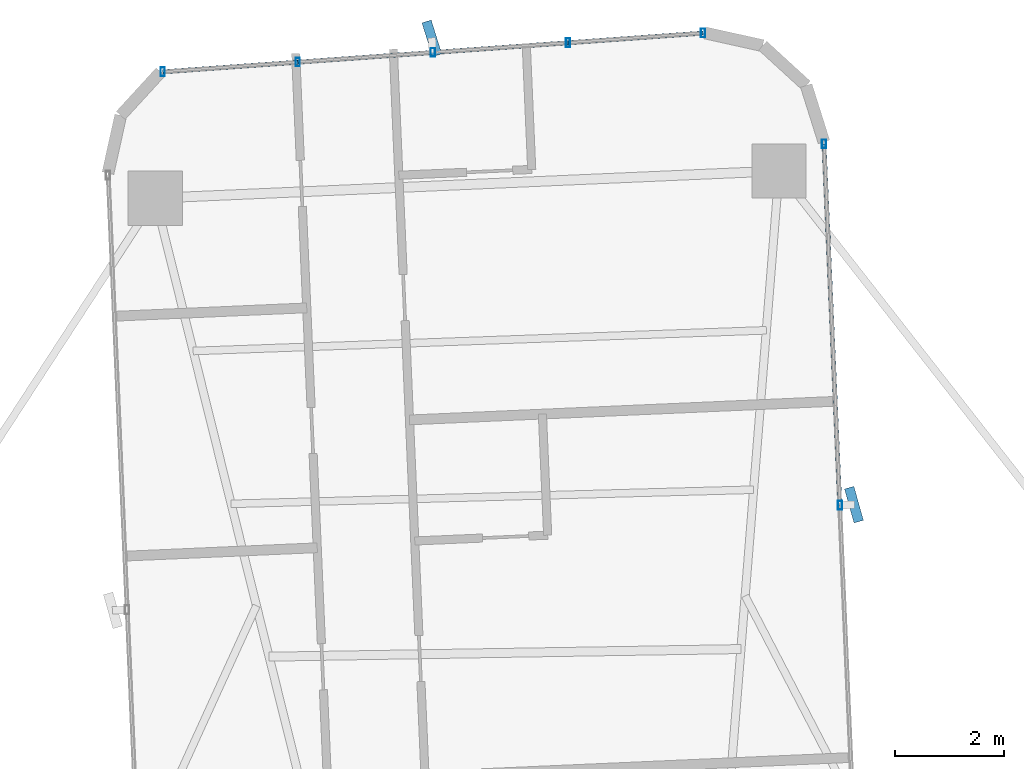
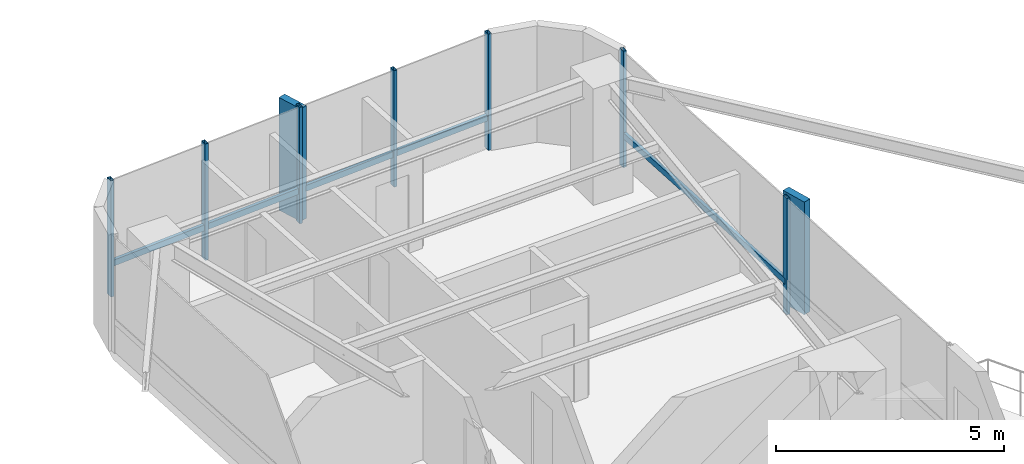
# One storey, part 19 of 26: 14 members, 2 elements without a shape of their own.
"""IFC4 building model written with IfcOpenShell, lengths in metres."""

import ifcopenshell
import ifcopenshell.guid

model = None  # the IFC model being written
_history = None  # IfcOwnerHistory: only IFC2X3 demands one
_inside = {}  # id of a spatial element -> (the spatial element, [elements in it])
_under = {}  # id of a project, library or spatial element -> (it, [spatial elements below it])
_declared = {}  # id of a project -> (the project, [libraries it declares])
_typed = {}  # id of a type object -> (the type object, [elements of that type])
_made_of = {}  # id of a material, layer set ... -> (it, [elements and type objects made of it])


def new_model(schema):
    """Start an empty IFC model of exactly this schema.

    Asked for "IFC4X3", IfcOpenShell would pick the latest addendum, in which some entities
    have other attributes; the version numbers below select the first issue.
    IFC2X3 requires an IfcOwnerHistory on every rooted entity: one is made here for all.
    """
    global model, _history
    if schema == "IFC4X3":
        model = ifcopenshell.file(schema_version=(4, 3, 0, 0))
    else:
        model = ifcopenshell.file(schema=schema)
    _inside.clear()
    _under.clear()
    _declared.clear()
    _typed.clear()
    _made_of.clear()
    _history = None
    if model.schema == "IFC2X3":
        org = make("IfcOrganization", Name="unknown")
        user = make(
            "IfcPersonAndOrganization",
            ThePerson=make("IfcPerson", FamilyName="unknown"),
            TheOrganization=org,
        )
        app = make(
            "IfcApplication",
            ApplicationDeveloper=org,
            Version="unknown",
            ApplicationFullName="unknown",
            ApplicationIdentifier="unknown",
        )
        _history = make(
            "IfcOwnerHistory",
            OwningUser=user,
            OwningApplication=app,
            ChangeAction="ADDED",
            CreationDate=0,
        )
    return model


def make(cls, **values):
    """One entity of the class cls with the attributes given. An attribute that is None is left unset."""
    return model.create_entity(
        cls, **{name: value for name, value in values.items() if value is not None}
    )


def rooted(cls, **values):
    """An entity with a GlobalId (a new one), such as an element, a storey or a relation."""
    return make(cls, GlobalId=ifcopenshell.guid.new(), OwnerHistory=_history, **values)


def si_unit(unit_type, name, prefix=None):
    """IfcSIUnit, for example si_unit("LENGTHUNIT", "METRE", prefix="MILLI")."""
    return make("IfcSIUnit", UnitType=unit_type, Prefix=prefix, Name=name)


def assignment(units):
    """IfcUnitAssignment: the units of a project."""
    return None if units is None else make("IfcUnitAssignment", Units=units)


def point(xyz):
    """IfcCartesianPoint."""
    return None if xyz is None else make("IfcCartesianPoint", Coordinates=xyz)


def direction(xyz):
    """IfcDirection."""
    return None if xyz is None else make("IfcDirection", DirectionRatios=xyz)


def frame(location, z_axis=None, x_axis=None):
    """IfcAxis2Placement3D, a coordinate frame: its origin and axes. An axis left out is left unset."""
    return make(
        "IfcAxis2Placement3D",
        Location=point(location),
        Axis=direction(z_axis),
        RefDirection=direction(x_axis),
    )


def frame_2d(location, x_axis=None):
    """IfcAxis2Placement2D, a coordinate frame in the plane: its origin and x axis."""
    return make(
        "IfcAxis2Placement2D", Location=point(location), RefDirection=direction(x_axis)
    )


def origin():
    """The frame at (0, 0, 0) with its axes left unset."""
    return frame((0.0, 0.0, 0.0))


def origin_2d():
    """The frame at (0, 0) in the plane with its x axis left unset."""
    return frame_2d((0.0, 0.0))


def place(relative_to, where):
    """IfcLocalPlacement: puts the frame where relative to a parent placement (None: the world)."""
    return make(
        "IfcLocalPlacement", PlacementRelTo=relative_to, RelativePlacement=where
    )


def context(
    kind, dimensions, precision=None, world=None, true_north=None, identifier=None
):
    """IfcGeometricRepresentationContext, for example the 3D "Model" context."""
    return make(
        "IfcGeometricRepresentationContext",
        ContextIdentifier=identifier,
        ContextType=kind,
        CoordinateSpaceDimension=dimensions,
        Precision=precision,
        WorldCoordinateSystem=world,
        TrueNorth=true_north,
    )


def subcontext(parent, identifier, kind, view, scale=None):
    """IfcGeometricRepresentationSubContext, for example "Body" below "Model"."""
    return make(
        "IfcGeometricRepresentationSubContext",
        ContextIdentifier=identifier,
        ContextType=kind,
        ParentContext=parent,
        TargetScale=scale,
        TargetView=view,
    )


def project(units=None, contexts=None):
    """IfcProject with its units and contexts."""
    return rooted(
        "IfcProject",
        Name="project",
        RepresentationContexts=contexts,
        UnitsInContext=assignment(units),
    )


def spatial(cls, under=None, at=None, **own):
    """A site, building, storey or space (cls), placed at a placement, below another one or the project."""
    s = rooted(cls, ObjectPlacement=at, **own)
    if under is not None:
        _under.setdefault(under.id(), (under, []))[1].append(s)
    return s


def profile(cls, at=None, kind="AREA", **sizes):
    """A parametric profile (cls). Its sizes go by their IFC names, for example OverallWidth=200.0."""
    return make(cls, ProfileType=kind, Position=at, **sizes)


def rectangle(**sizes):
    """IfcRectangleProfileDef."""
    return profile("IfcRectangleProfileDef", **sizes)


def hollow_rectangle(**sizes):
    """IfcRectangleHollowProfileDef."""
    return profile("IfcRectangleHollowProfileDef", **sizes)


def extrude(swept, where, along, depth):
    """IfcExtrudedAreaSolid: the profile swept, set in the frame where, extruded along a direction by depth."""
    return make(
        "IfcExtrudedAreaSolid",
        SweptArea=swept,
        Position=where,
        ExtrudedDirection=direction(along),
        Depth=depth,
    )


def shape(context_of_items, identifier, shape_type, items):
    """IfcShapeRepresentation: the items that make up one representation, for example the "Body"."""
    return make(
        "IfcShapeRepresentation",
        ContextOfItems=context_of_items,
        RepresentationIdentifier=identifier,
        RepresentationType=shape_type,
        Items=items,
    )


def source(mapping_origin, context_of_items, identifier, shape_type, items):
    """IfcRepresentationMap: a shape defined once, which mapped items show again and again."""
    return make(
        "IfcRepresentationMap",
        MappingOrigin=mapping_origin,
        MappedRepresentation=shape(context_of_items, identifier, shape_type, items),
    )


def transform(
    local_origin,
    x_axis=None,
    y_axis=None,
    z_axis=None,
    scale=None,
    scale2=None,
    scale3=None,
    uniform=True,
):
    """IfcCartesianTransformationOperator3D, or its non-uniform kind. x_axis, y_axis, z_axis: its Axis1, 2, 3."""
    if uniform:
        return make(
            "IfcCartesianTransformationOperator3D",
            Axis1=direction(x_axis),
            Axis2=direction(y_axis),
            LocalOrigin=point(local_origin),
            Scale=scale,
            Axis3=direction(z_axis),
        )
    return make(
        "IfcCartesianTransformationOperator3DnonUniform",
        Axis1=direction(x_axis),
        Axis2=direction(y_axis),
        LocalOrigin=point(local_origin),
        Scale=scale,
        Axis3=direction(z_axis),
        Scale2=scale2,
        Scale3=scale3,
    )


def mapped(mapping_source, mapping_target):
    """IfcMappedItem: shows the shape of a source again, moved by a transform."""
    return make(
        "IfcMappedItem", MappingSource=mapping_source, MappingTarget=mapping_target
    )


def material(Name=None, Category=None):
    """IfcMaterial."""
    return make("IfcMaterial", Name=Name, Category=Category)


def material_profile(
    of_material, cross_section, Name=None, Category=None, Priority=None
):
    """IfcMaterialProfile: a cross section and its material."""
    return make(
        "IfcMaterialProfile",
        Name=Name,
        Material=of_material,
        Profile=cross_section,
        Priority=Priority,
        Category=Category,
    )


def profile_set(profiles, Name=None, composite=None):
    """IfcMaterialProfileSet."""
    return make(
        "IfcMaterialProfileSet",
        Name=Name,
        MaterialProfiles=profiles,
        CompositeProfile=composite,
    )


def made_of(thing, what):
    """Note that an element or type object is made of a material, layer set ...; save() writes the relation."""
    if what is not None:
        _made_of.setdefault(what.id(), (what, []))[1].append(thing)
    return thing


def type_object(cls, material=None, **own):
    """A type object (cls), such as IfcWallType, which elements share."""
    return made_of(rooted(cls, **own), material)


def element(
    cls,
    number,
    at=None,
    inside=None,
    cuts=None,
    type_object=None,
    material=None,
    context=None,
    identifier="Body",
    shape_type=None,
    held_by="IfcProductDefinitionShape",
    body=None,
    shapes=None,
    **own,
):
    """One element of the class cls, such as IfcWall. Its Tag is "e" and its number.

    at: its placement. inside: the storey or other place that contains it. cuts: it is an
    opening in that element (IfcRelVoidsElement). A single representation is given by context,
    identifier, shape_type and body (its items); several are given by shapes. held_by: the class
    of the entity that holds the representations. save() writes the other relations.
    """
    e = rooted(cls, Tag="e%d" % number, ObjectPlacement=at, **own)
    if body is not None:
        shapes = [shape(context, identifier, shape_type, body)]
    if shapes is not None:
        e.Representation = make(held_by, Representations=shapes)
    if inside is not None:
        _inside.setdefault(inside.id(), (inside, []))[1].append(e)
    if cuts is not None:
        rooted(
            "IfcRelVoidsElement", RelatingBuildingElement=cuts, RelatedOpeningElement=e
        )
    if type_object is not None:
        _typed.setdefault(type_object.id(), (type_object, []))[1].append(e)
    return made_of(e, material)


def aggregate(whole, parts):
    """IfcRelAggregates: a whole, such as a stair, and the parts it consists of."""
    return rooted("IfcRelAggregates", RelatingObject=whole, RelatedObjects=parts)


def save(model, path):
    """Write the relations noted so far, then the file.

    IfcRelAggregates (storeys below a building ...), IfcRelContainedInSpatialStructure (elements
    in a storey), IfcRelDefinesByType, IfcRelAssociatesMaterial and IfcRelDeclares: one each for
    every whole, place, type object, material and project.
    """
    for whole, parts in _under.values():
        aggregate(whole, parts)
    for where, things in _inside.values():
        rooted(
            "IfcRelContainedInSpatialStructure",
            RelatedElements=things,
            RelatingStructure=where,
        )
    for kind, things in _typed.values():
        rooted("IfcRelDefinesByType", RelatedObjects=things, RelatingType=kind)
    for what, things in _made_of.values():
        rooted("IfcRelAssociatesMaterial", RelatedObjects=things, RelatingMaterial=what)
    for by, libraries in _declared.values():
        rooted("IfcRelDeclares", RelatingContext=by, RelatedDefinitions=libraries)
    model.write(path)


model = new_model("IFC4")

# Units and contexts
model_context = context("Model", 3, precision=1e-05, world=origin(), true_north=direction((0.0, 1.0)))
body_context = subcontext(model_context, "Body", "Model", "MODEL_VIEW")
ifc_project = project(units=[si_unit("LENGTHUNIT", "METRE"), si_unit("AREAUNIT", "SQUARE_METRE"), si_unit("VOLUMEUNIT", "CUBIC_METRE"), si_unit("PLANEANGLEUNIT", "RADIAN"), si_unit("MASSUNIT", "GRAM", prefix="KILO")], contexts=[model_context])

# Site, building, storey
site_placement = place(None, origin())
site = spatial("IfcSite", under=ifc_project, at=site_placement, CompositionType="ELEMENT")
building_placement = place(site_placement, origin())
building = spatial("IfcBuilding", under=site, at=building_placement, Name="Sahyath Konkavel Grand Hotel", CompositionType="ELEMENT")
storey_placement = place(building_placement, frame((0.0, 0.0, 83.5)))
storey = spatial("IfcBuildingStorey", under=building, at=storey_placement, Name="L22", CompositionType="ELEMENT", Elevation=83.5)

# Curtain wall, member
ifc_material_1 = material(Name="Anodised Bronze Aluminium & Low-E Glazing", Category="aluminium")
curtain_wall_type = type_object("IfcCurtainWallType", Name="CW-ZONE2", PredefinedType="NOTDEFINED", material=ifc_material_1)
curtain_wall_1_placement = place(storey_placement, origin())
curtain_wall_1 = element("IfcCurtainWall", 1, at=curtain_wall_1_placement, inside=storey, type_object=curtain_wall_type, Name="L22 Unitised Curtain Wall F8", PredefinedType="NOTDEFINED")
ifc_material_2 = material(Name="Warm Buff Sandstone Cladding on Concrete C50/60", Category="masonry")
ifc_material_profile_1 = material_profile(ifc_material_2, rectangle(XDim=0.179931640625, YDim=0.64990234375, at=origin_2d()), Name="FIN 180x650")
ifc_profile_set_1 = profile_set([ifc_material_profile_1], Name="Warm Buff Sandstone Cladding on Concrete C50/60")
member_type_1 = type_object("IfcMemberType", Name="FIN-SANDSTONE-650", PredefinedType="MULLION", material=ifc_profile_set_1)
shared_shape_1 = source(origin(), body_context, "Body", "SweptSolid", [
    extrude(rectangle(XDim=0.179931640625, YDim=0.64990234375, at=origin_2d()), origin(), (0.0, 0.0, 1.0), 3.010009765625),
])
member_1_placement = place(storey_placement, frame((6.155517578125, 16.283935546875, 0.050048828125), z_axis=(0.0, 0.0, 1.0), x_axis=(0.962974590644, 0.269592169347, 0.0)))
member_1 = element("IfcMember", 2, at=member_1_placement, type_object=member_type_1, Name="L22 Sandstone Vertical Solar Fin FIN F8-1", PredefinedType="MULLION", context=body_context, shape_type="MappedRepresentation", body=[
    mapped(shared_shape_1, transform((0.0, 0.0, 0.0), scale=1.0)),
])

curtain_wall_2_placement = place(storey_placement, origin())
curtain_wall_2 = element("IfcCurtainWall", 3, at=curtain_wall_2_placement, inside=storey, type_object=curtain_wall_type, Name="L22 Unitised Curtain Wall F12", PredefinedType="NOTDEFINED")
member_2_placement = place(storey_placement, frame((-1.61865234375, 24.872314453125, 0.050048828125), z_axis=(0.0, 0.0, 1.0), x_axis=(0.954448865814, 0.298374534012, 0.0)))
member_2 = element("IfcMember", 4, at=member_2_placement, type_object=member_type_1, Name="L22 Sandstone Vertical Solar Fin FIN F12-2", PredefinedType="MULLION", context=body_context, shape_type="MappedRepresentation", body=[
    mapped(shared_shape_1, transform((0.0, 0.0, 0.0), scale=1.0)),
])

# Member
ifc_material_3 = material(Name="Anodised Bronze Aluminium", Category="aluminium")
ifc_material_profile_2 = material_profile(ifc_material_3, hollow_rectangle(XDim=0.080078125, YDim=0.159912109375, WallThickness=0.006103515625, at=origin_2d()), Name="RHS 160x80x6")
ifc_profile_set_2 = profile_set([ifc_material_profile_2], Name="Anodised Bronze Aluminium")
member_type_2 = type_object("IfcMemberType", Name="CW-MUL-160", PredefinedType="MULLION", material=ifc_profile_set_2)
shared_shape_2 = source(origin(), body_context, "Body", "SweptSolid", [
    extrude(hollow_rectangle(XDim=0.080078125, YDim=0.159912109375, WallThickness=0.006103515625, at=origin_2d()), origin(), (0.0, 0.0, 1.0), 3.110107421875),
])
member_3_placement = place(storey_placement, frame((5.895751953125, 16.272705078125, 0.0), z_axis=(0.0, 0.0, 1.0), x_axis=(1.0, 0.0, 0.0)))
member_3 = element("IfcMember", 5, at=member_3_placement, type_object=member_type_2, Name="L22 Curtain Wall Mullion F8-1", PredefinedType="MULLION", context=body_context, shape_type="MappedRepresentation", body=[
    mapped(shared_shape_2, transform((0.0, 0.0, 0.0), scale=1.0)),
])

member_4_placement = place(storey_placement, frame((5.605224609375, 22.92626953125, 0.0), z_axis=(0.0, 0.0, 1.0), x_axis=(1.0, 0.0, 0.0)))
member_4 = element("IfcMember", 6, at=member_4_placement, type_object=member_type_2, Name="L22 Curtain Wall Mullion F8-2", PredefinedType="MULLION", context=body_context, shape_type="MappedRepresentation", body=[
    mapped(shared_shape_2, transform((0.0, 0.0, 0.0), scale=1.0)),
])

member_5_placement = place(storey_placement, frame((3.3740234375, 24.9697265625, 0.0), z_axis=(0.0, 0.0, 1.0), x_axis=(1.0, 0.0, 0.0)))
member_5 = element("IfcMember", 7, at=member_5_placement, type_object=member_type_2, Name="L22 Curtain Wall Mullion F12-0", PredefinedType="MULLION", context=body_context, shape_type="MappedRepresentation", body=[
    mapped(shared_shape_2, transform((0.0, 0.0, 0.0), scale=1.0)),
])

member_6_placement = place(storey_placement, frame((0.886962890625, 24.79150390625, 0.0), z_axis=(0.0, 0.0, 1.0), x_axis=(1.0, 0.0, 0.0)))
member_6 = element("IfcMember", 8, at=member_6_placement, type_object=member_type_2, Name="L22 Curtain Wall Mullion F12-1", PredefinedType="MULLION", context=body_context, shape_type="MappedRepresentation", body=[
    mapped(shared_shape_2, transform((0.0, 0.0, 0.0), scale=1.0)),
])

member_7_placement = place(storey_placement, frame((-1.60009765625, 24.61279296875, 0.0), z_axis=(0.0, 0.0, 1.0), x_axis=(1.0, 0.0, 0.0)))
member_7 = element("IfcMember", 9, at=member_7_placement, type_object=member_type_2, Name="L22 Curtain Wall Mullion F12-2", PredefinedType="MULLION", context=body_context, shape_type="MappedRepresentation", body=[
    mapped(shared_shape_2, transform((0.0, 0.0, 0.0), scale=1.0)),
])

member_8_placement = place(storey_placement, frame((-4.087158203125, 24.4345703125, 0.0), z_axis=(0.0, 0.0, 1.0), x_axis=(1.0, 0.0, 0.0)))
member_8 = element("IfcMember", 10, at=member_8_placement, type_object=member_type_2, Name="L22 Curtain Wall Mullion F12-3", PredefinedType="MULLION", context=body_context, shape_type="MappedRepresentation", body=[
    mapped(shared_shape_2, transform((0.0, 0.0, 0.0), scale=1.0)),
])

member_9_placement = place(storey_placement, frame((-6.57421875, 24.256103515625, 0.0), z_axis=(0.0, 0.0, 1.0), x_axis=(1.0, 0.0, 0.0)))
member_9 = element("IfcMember", 11, at=member_9_placement, type_object=member_type_2, Name="L22 Curtain Wall Mullion F12-4", PredefinedType="MULLION", context=body_context, shape_type="MappedRepresentation", body=[
    mapped(shared_shape_2, transform((0.0, 0.0, 0.0), scale=1.0)),
])

ifc_material_profile_3 = material_profile(ifc_material_3, hollow_rectangle(XDim=0.080078125, YDim=0.159912109375, WallThickness=0.006103515625, at=origin_2d()), Name="RHS 160x80x6")
ifc_profile_set_3 = profile_set([ifc_material_profile_3], Name="Anodised Bronze Aluminium")
member_type_3 = type_object("IfcMemberType", Name="CW-TRN-160", PredefinedType="USERDEFINED", material=ifc_profile_set_3)
shared_shape_3 = source(origin(), body_context, "Body", "SweptSolid", [
    extrude(hollow_rectangle(XDim=0.080078125, YDim=0.159912109375, WallThickness=0.006103515625, at=origin_2d()), origin(), (0.0, 0.0, 1.0), 2.493408203125),
])
member_10_placement = place(storey_placement, frame((3.3740234375, 24.9697265625, 0.85009765625), z_axis=(-0.997442271688, -0.071476672066, 0.0), x_axis=(0.071476672066, -0.997442271688, 0.0)))
member_10 = element("IfcMember", 12, at=member_10_placement, type_object=member_type_3, Name="L22 Curtain Wall Transom F12-0-spandrel", ObjectType="TRANSOM", PredefinedType="USERDEFINED", context=body_context, shape_type="MappedRepresentation", body=[
    mapped(shared_shape_3, transform((0.0, 0.0, 0.0), scale=1.0)),
])

member_11_placement = place(storey_placement, frame((0.886962890625, 24.79150390625, 0.85009765625), z_axis=(-0.997428291631, -0.071671494009, 0.0), x_axis=(0.071671494009, -0.997428291631, 0.0)))
member_11 = element("IfcMember", 13, at=member_11_placement, type_object=member_type_3, Name="L22 Curtain Wall Transom F12-1-spandrel", ObjectType="TRANSOM", PredefinedType="USERDEFINED", context=body_context, shape_type="MappedRepresentation", body=[
    mapped(shared_shape_3, transform((0.0, 0.0, 0.0), scale=1.0)),
])

member_12_placement = place(storey_placement, frame((-1.60009765625, 24.61279296875, 0.85009765625), z_axis=(-0.997442271688, -0.071476672066, 0.0), x_axis=(0.071476672066, -0.997442271688, 0.0)))
member_12 = element("IfcMember", 14, at=member_12_placement, type_object=member_type_3, Name="L22 Curtain Wall Transom F12-2-spandrel", ObjectType="TRANSOM", PredefinedType="USERDEFINED", context=body_context, shape_type="MappedRepresentation", body=[
    mapped(shared_shape_3, transform((0.0, 0.0, 0.0), scale=1.0)),
])

member_13_placement = place(storey_placement, frame((-4.087158203125, 24.4345703125, 0.85009765625), z_axis=(-0.997435286367, -0.071574084062, 0.0), x_axis=(0.071574084062, -0.997435286367, 0.0)))
member_13 = element("IfcMember", 15, at=member_13_placement, type_object=member_type_3, Name="L22 Curtain Wall Transom F12-3-spandrel", ObjectType="TRANSOM", PredefinedType="USERDEFINED", context=body_context, shape_type="MappedRepresentation", body=[
    mapped(shared_shape_3, transform((0.0, 0.0, 0.0), scale=1.0)),
])

aggregate(curtain_wall_2, [member_5, member_6, member_7, member_2, member_8, member_9, member_10, member_11, member_12, member_13])

shared_shape_4 = source(origin(), body_context, "Body", "SweptSolid", [
    extrude(hollow_rectangle(XDim=0.080078125, YDim=0.159912109375, WallThickness=0.006103515625, at=origin_2d()), origin(), (0.0, 0.0, 1.0), 6.659912109375),
])
member_14_placement = place(storey_placement, frame((5.895751953125, 16.272705078125, 0.85009765625), z_axis=(-0.043623350741, 0.999048048529, 0.0), x_axis=(-0.999048048529, -0.043623350741, 0.0)))
member_14 = element("IfcMember", 16, at=member_14_placement, type_object=member_type_3, Name="L22 Curtain Wall Transom F8-1-spandrel", ObjectType="TRANSOM", PredefinedType="USERDEFINED", context=body_context, shape_type="MappedRepresentation", body=[
    mapped(shared_shape_4, transform((0.0, 0.0, 0.0), scale=1.0)),
])

aggregate(curtain_wall_1, [member_3, member_1, member_4, member_14])

save(model, "model.ifc")
